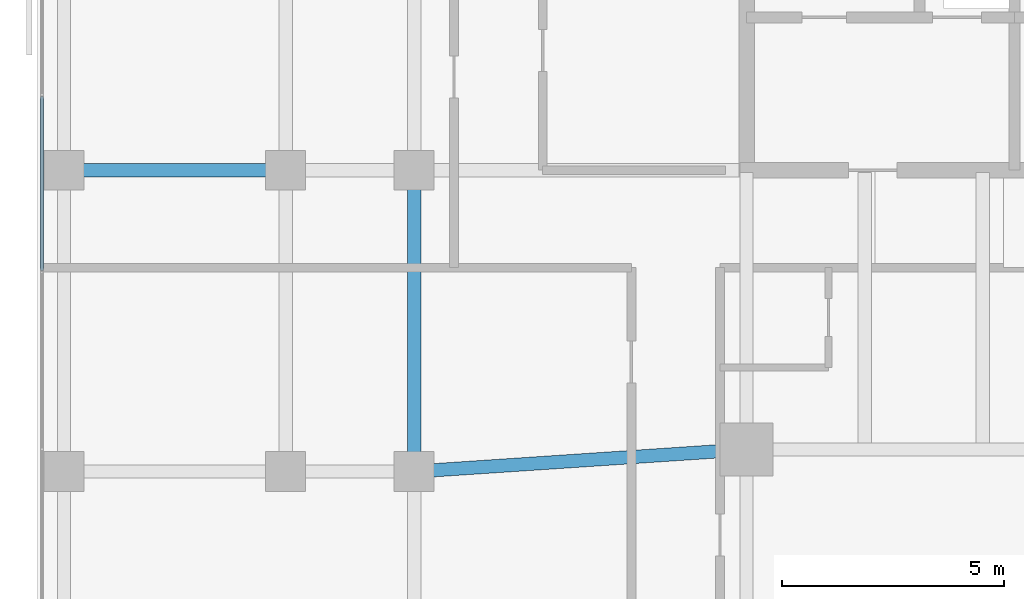
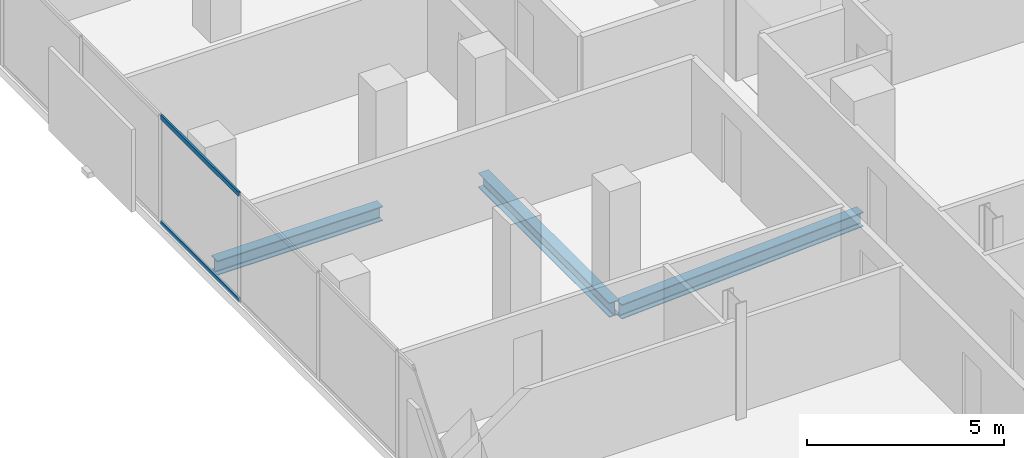
# One storey, part 10 of 33: 3 beams, 2 members, 1 element without a shape of its own.
"""IFC4 building model written with IfcOpenShell, lengths in metres."""

from ifc_helpers import new_model, si_unit, direction, frame, origin, origin_2d, place, context, subcontext, project, spatial, hollow_rectangle, i_section, extrude, material, layer, layer_set, material_profile, profile_set, type_object, element, aggregate, save


model = new_model("IFC4")

# Units and contexts
model_context = context("Model", 3, precision=1e-05, world=origin(), true_north=direction((0.0, 1.0)))
body_context = subcontext(model_context, "Body", "Model", "MODEL_VIEW")
ifc_project = project(units=[si_unit("LENGTHUNIT", "METRE"), si_unit("AREAUNIT", "SQUARE_METRE"), si_unit("VOLUMEUNIT", "CUBIC_METRE"), si_unit("PLANEANGLEUNIT", "RADIAN"), si_unit("MASSUNIT", "GRAM", prefix="KILO")], contexts=[model_context])

# Site, building, storey
site_placement = place(None, origin())
site = spatial("IfcSite", under=ifc_project, at=site_placement, CompositionType="ELEMENT")
building_placement = place(site_placement, origin())
building = spatial("IfcBuilding", under=site, at=building_placement, Name="Catumbela Crestline Tower", CompositionType="ELEMENT")
storey_placement = place(building_placement, frame((0.0, 0.0, 108.0)))
storey = spatial("IfcBuildingStorey", under=building, at=storey_placement, Name="L27", CompositionType="ELEMENT", Elevation=108.0)

# Beams
ifc_material_1 = material(Name="Structural steel S355J2", Category="steel")
ifc_material_profile_1 = material_profile(ifc_material_1, i_section(OverallWidth=0.3, OverallDepth=0.45, WebThickness=0.014, FlangeThickness=0.026, FilletRadius=0.027, at=origin_2d()), Name="HEB 450")
ifc_profile_set_1 = profile_set([ifc_material_profile_1], Name="Structural steel S355J2")
beam_type = type_object("IfcBeamType", Name="BG-HEB450", PredefinedType="BEAM", material=ifc_profile_set_1)
beam_1_placement = place(storey_placement, frame((8.5798, 24.0053, -0.485), z_axis=(0.997784796964, 0.066524423687, 0.0), x_axis=(-0.066524423687, 0.997784796964, 0.0)))
element("IfcBeam", 1, at=beam_1_placement, inside=storey, type_object=beam_type, Name="L27 Beam BM-L27-S03", PredefinedType="BEAM", context=body_context, shape_type="SweptSolid", body=[
    extrude(i_section(OverallWidth=0.3, OverallDepth=0.45, WebThickness=0.014, FlangeThickness=0.026, FilletRadius=0.027, at=origin_2d()), origin(), (0.0, 0.0, 1.0), 7.3567),
])
beam_2_placement = place(storey_placement, frame((0.68, 30.8, -0.485), z_axis=(1.0, 0.0, 0.0), x_axis=(0.0, 1.0, 0.0)))
element("IfcBeam", 2, at=beam_2_placement, inside=storey, type_object=beam_type, Name="L27 Beam BM-L27-M07", PredefinedType="BEAM", context=body_context, shape_type="SweptSolid", body=[
    extrude(i_section(OverallWidth=0.3, OverallDepth=0.45, WebThickness=0.014, FlangeThickness=0.026, FilletRadius=0.027, at=origin_2d()), origin(), (0.0, 0.0, 1.0), 4.84),
])
beam_3_placement = place(storey_placement, frame((8.5, 24.08, -0.485), z_axis=(0.0, 1.0, 0.0), x_axis=(-1.0, 0.0, 0.0)))
element("IfcBeam", 3, at=beam_3_placement, inside=storey, type_object=beam_type, Name="L27 Beam BM-L27-SN26", PredefinedType="BEAM", context=body_context, shape_type="SweptSolid", body=[
    extrude(i_section(OverallWidth=0.3, OverallDepth=0.45, WebThickness=0.014, FlangeThickness=0.026, FilletRadius=0.027, at=origin_2d()), origin(), (0.0, 0.0, 1.0), 6.64),
])

# Curtain wall, members
ifc_material_2 = material(Name="Aluminium alloy AW-6060-T66", Category="aluminium")
ifc_layer = layer(ifc_material_2, 0.18, Name="Aluminium alloy AW-6060-T66")
ifc_layer_set = layer_set([ifc_layer], Name="Aluminium alloy AW-6060-T66")
curtain_wall_type = type_object("IfcCurtainWallType", Name="CWU-Z2", PredefinedType="USERDEFINED", material=ifc_layer_set)
curtain_wall_placement = place(storey_placement, origin())
curtain_wall = element("IfcCurtainWall", 4, at=curtain_wall_placement, inside=storey, type_object=curtain_wall_type, Name="L27 Unitised Curtain Wall CW-L27-E9S1", ObjectType="UNITISED", PredefinedType="USERDEFINED")
ifc_material_profile_2 = material_profile(ifc_material_2, hollow_rectangle(XDim=0.06, YDim=0.14, WallThickness=0.004, at=origin_2d()), Name="ALU 140x60x4")
ifc_profile_set_2 = profile_set([ifc_material_profile_2], Name="Aluminium alloy AW-6060-T66")
member_type = type_object("IfcMemberType", Name="TRN-140X60", PredefinedType="USERDEFINED", material=ifc_profile_set_2)
member_1_placement = place(storey_placement, frame((0.1, 32.4675, 0.03), z_axis=(0.0, -1.0, 0.0), x_axis=(1.0, 0.0, 0.0)))
member_1 = element("IfcMember", 5, at=member_1_placement, type_object=member_type, Name="CWU-Z2 transom 4.1", ObjectType="TRANSOM", PredefinedType="USERDEFINED", context=body_context, shape_type="SweptSolid", body=[
    extrude(hollow_rectangle(XDim=0.06, YDim=0.14, WallThickness=0.004, at=origin_2d()), origin(), (0.0, 0.0, 1.0), 3.935),
])
member_2_placement = place(storey_placement, frame((0.1, 32.4675, 3.3), z_axis=(0.0, -1.0, 0.0), x_axis=(1.0, 0.0, 0.0)))
member_2 = element("IfcMember", 6, at=member_2_placement, type_object=member_type, Name="CWU-Z2 transom 4.2", ObjectType="TRANSOM", PredefinedType="USERDEFINED", context=body_context, shape_type="SweptSolid", body=[
    extrude(hollow_rectangle(XDim=0.06, YDim=0.14, WallThickness=0.004, at=origin_2d()), origin(), (0.0, 0.0, 1.0), 3.935),
])
aggregate(curtain_wall, [member_1, member_2])

save(model, "model.ifc")
